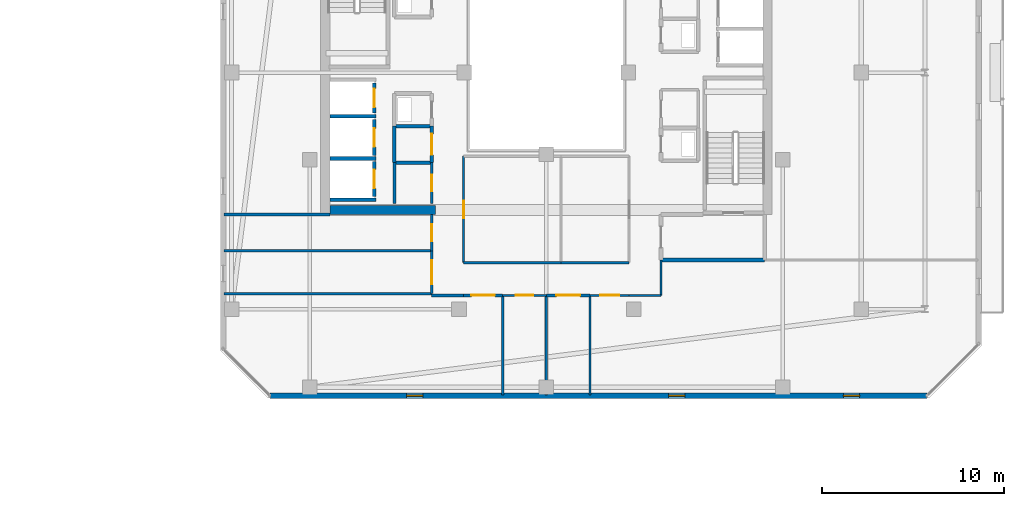
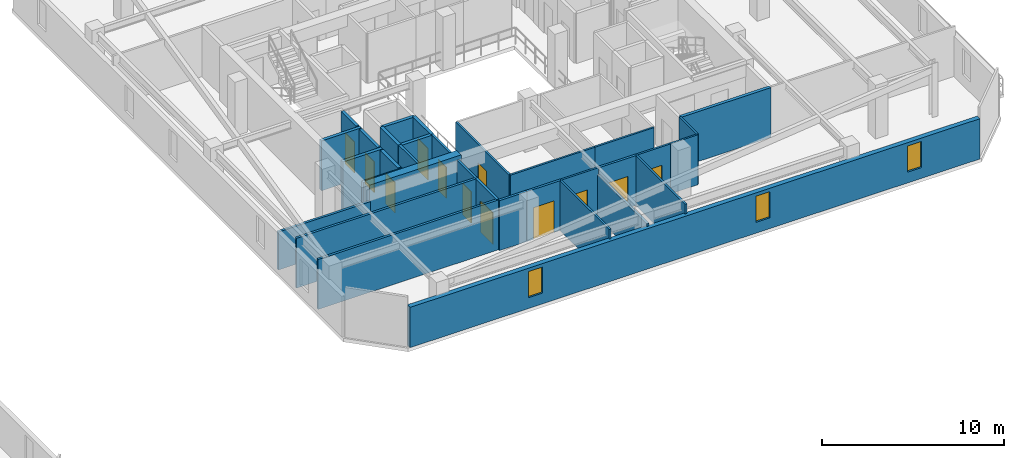
# One storey, part 25 of 35: 33 walls, 12 doors, 3 windows, 15 openings.
"""IFC4 building model written with IfcOpenShell, lengths in metres."""

from ifc_helpers import new_model, si_unit, direction, frame, frame_2d, origin, place, context, subcontext, project, spatial, rectangle, extrude, material, layer, layer_set, type_object, element, fill, save


model = new_model("IFC4")

# Units and contexts
model_context = context("Model", 3, precision=1e-05, world=origin(), true_north=direction((0.0, 1.0)))
body_context = subcontext(model_context, "Body", "Model", "MODEL_VIEW")
ifc_project = project(units=[si_unit("LENGTHUNIT", "METRE"), si_unit("AREAUNIT", "SQUARE_METRE"), si_unit("VOLUMEUNIT", "CUBIC_METRE"), si_unit("PLANEANGLEUNIT", "RADIAN"), si_unit("MASSUNIT", "GRAM", prefix="KILO")], contexts=[model_context])

# Site, building, storey
site_placement = place(None, origin())
site = spatial("IfcSite", under=ifc_project, at=site_placement, CompositionType="ELEMENT")
building_placement = place(site_placement, origin())
building = spatial("IfcBuilding", under=site, at=building_placement, Name="Thornwick Lancets Civic Towers", CompositionType="ELEMENT")
storey_placement = place(building_placement, frame((0.0, 0.0, 272.699951171875)))
storey = spatial("IfcBuildingStorey", under=building, at=storey_placement, Name="L73", CompositionType="ELEMENT", Elevation=272.699951171875)

# Wall, opening, door
ifc_material_1 = material(Name="Concrete blockwork C40/50", Category="masonry")
ifc_layer_1 = layer(ifc_material_1, 0.199951171875, Name="Concrete blockwork C40/50")
ifc_layer_set_1 = layer_set([ifc_layer_1], Name="Concrete blockwork C40/50")
wall_type_1 = type_object("IfcWallType", Name="WALL_COMP_200", PredefinedType="STANDARD", material=ifc_layer_set_1)
wall_1_placement = place(storey_placement, frame((79.050048828125, 24.780029296875, 0.0), z_axis=(0.0, 0.0, 1.0), x_axis=(0.0, 1.0, 0.0)))
wall_1 = element("IfcWall", 1, at=wall_1_placement, inside=storey, type_object=wall_type_1, Name="L73 Hoistway Front Wall FL-B2", PredefinedType="STANDARD", context=body_context, shape_type="SweptSolid", body=[
    extrude(rectangle(XDim=1.639892578125, YDim=0.199951171875, at=frame_2d((0.81982421875, 0.0))), origin(), (0.0, 0.0, 1.0), 3.340087890625),
])
opening_1_placement = place(wall_1_placement, frame((0.31005859375, 0.0, 0.0)))
opening_1 = element("IfcOpeningElement", 2, at=opening_1_placement, cuts=wall_1, Name="Opening LD-FL-B2", PredefinedType="OPENING", context=body_context, shape_type="SweptSolid", body=[
    extrude(rectangle(XDim=1.02001953125, YDim=2.06005859375, at=frame_2d((0.510009765625, 1.030029296875))), frame((0.0, 0.10986328125, 0.0), z_axis=(0.0, -1.0, 0.0), x_axis=(1.0, 0.0, 0.0)), (0.0, 0.0, 1.0), 0.219970703125),
])
ifc_material_2 = material(Name="Brushed bronze stainless steel", Category="steel")
door_type_1 = type_object("IfcDoorType", Name="DOOR_LIFT_SLIDE", OperationType="SLIDING_TO_LEFT", PredefinedType="DOOR", material=ifc_material_2)
door_1_placement = place(opening_1_placement, origin())
door_1 = element("IfcDoor", 3, at=door_1_placement, inside=storey, type_object=door_type_1, Name="L73 Sliding Lift Landing Door LD-FL-B2", OperationType="SLIDING_TO_LEFT", OverallHeight=2.06005859375, OverallWidth=1.02001953125, PredefinedType="DOOR", context=body_context, shape_type="SweptSolid", body=[
    extrude(rectangle(XDim=1.02001953125, YDim=2.06005859375, at=frame_2d((0.510009765625, 1.030029296875))), frame((0.0, 0.02490234375, 0.0), z_axis=(0.0, -1.0, 0.0), x_axis=(1.0, 0.0, 0.0)), (0.0, 0.0, 1.0), 0.050048828125),
])
fill(opening_1, door_1)

wall_2_placement = place(storey_placement, frame((79.050048828125, 22.429931640625, 0.0), z_axis=(0.0, 0.0, 1.0), x_axis=(0.0, 1.0, 0.0)))
wall_2 = element("IfcWall", 4, at=wall_2_placement, inside=storey, type_object=wall_type_1, Name="L73 Hoistway Front Wall PL-BH2", PredefinedType="STANDARD", context=body_context, shape_type="SweptSolid", body=[
    extrude(rectangle(XDim=1.989990234375, YDim=0.199951171875, at=frame_2d((0.9951171875, 0.0))), origin(), (0.0, 0.0, 1.0), 3.340087890625),
])
opening_2_placement = place(wall_2_placement, frame((0.485107421875, 0.0, 0.0)))
opening_2 = element("IfcOpeningElement", 5, at=opening_2_placement, cuts=wall_2, Name="Opening LD-PL-BH2", PredefinedType="OPENING", context=body_context, shape_type="SweptSolid", body=[
    extrude(rectangle(XDim=1.02001953125, YDim=2.06005859375, at=frame_2d((0.510009765625, 1.030029296875))), frame((0.0, 0.10986328125, 0.0), z_axis=(0.0, -1.0, 0.0), x_axis=(1.0, 0.0, 0.0)), (0.0, 0.0, 1.0), 0.219970703125),
])
door_2_placement = place(opening_2_placement, origin())
door_2 = element("IfcDoor", 6, at=door_2_placement, inside=storey, type_object=door_type_1, Name="L73 Sliding Lift Landing Door LD-PL-BH2", OperationType="SLIDING_TO_LEFT", OverallHeight=2.06005859375, OverallWidth=1.02001953125, PredefinedType="DOOR", context=body_context, shape_type="SweptSolid", body=[
    extrude(rectangle(XDim=1.02001953125, YDim=2.06005859375, at=frame_2d((0.510009765625, 1.030029296875))), frame((0.0, 0.02490234375, 0.0), z_axis=(0.0, -1.0, 0.0), x_axis=(1.0, 0.0, 0.0)), (0.0, 0.0, 1.0), 0.050048828125),
])
fill(opening_2, door_2)

wall_3_placement = place(storey_placement, frame((79.050048828125, 20.179931640625, 0.0), z_axis=(0.0, 0.0, 1.0), x_axis=(0.0, 1.0, 0.0)))
wall_3 = element("IfcWall", 7, at=wall_3_placement, inside=storey, type_object=wall_type_1, Name="L73 Hoistway Front Wall PL-BH3", PredefinedType="STANDARD", context=body_context, shape_type="SweptSolid", body=[
    extrude(rectangle(XDim=1.940185546875, YDim=0.199951171875, at=frame_2d((0.97021484375, 0.0))), origin(), (0.0, 0.0, 1.0), 3.340087890625),
])
opening_3_placement = place(wall_3_placement, frame((0.4599609375, 0.0, 0.0)))
opening_3 = element("IfcOpeningElement", 8, at=opening_3_placement, cuts=wall_3, Name="Opening LD-PL-BH3", PredefinedType="OPENING", context=body_context, shape_type="SweptSolid", body=[
    extrude(rectangle(XDim=1.02001953125, YDim=2.06005859375, at=frame_2d((0.510009765625, 1.030029296875))), frame((0.0, 0.10986328125, 0.0), z_axis=(0.0, -1.0, 0.0), x_axis=(1.0, 0.0, 0.0)), (0.0, 0.0, 1.0), 0.219970703125),
])
door_3_placement = place(opening_3_placement, origin())
door_3 = element("IfcDoor", 9, at=door_3_placement, inside=storey, type_object=door_type_1, Name="L73 Sliding Lift Landing Door LD-PL-BH3", OperationType="SLIDING_TO_LEFT", OverallHeight=2.06005859375, OverallWidth=1.02001953125, PredefinedType="DOOR", context=body_context, shape_type="SweptSolid", body=[
    extrude(rectangle(XDim=1.02001953125, YDim=2.06005859375, at=frame_2d((0.510009765625, 1.030029296875))), frame((0.0, 0.02490234375, 0.0), z_axis=(0.0, -1.0, 0.0), x_axis=(1.0, 0.0, 0.0)), (0.0, 0.0, 1.0), 0.050048828125),
])
fill(opening_3, door_3)

# Walls
for number, where, z_axis, x_axis, name in (
    (10, (76.612060546875, 24.60009765625, 0.0), (0.0, 0.0, 1.0), (1.0, 0.0, 0.0), "L73 Hoistway Shaft Wall FL-B2 S"),
    (11, (76.612060546875, 22.27490234375, 0.0), (0.0, 0.0, 1.0), (1.0, 0.0, 0.0), "L73 Hoistway Shaft Wall PL-BH2 S"),
    (12, (76.612060546875, 20.0, 0.0), (0.0, 0.0, 1.0), (1.0, 0.0, 0.0), "L73 Hoistway Shaft Wall PL-BH3 S"),
):
    element("IfcWall", number, at=place(storey_placement, frame(where, z_axis=z_axis, x_axis=x_axis)), inside=storey, type_object=wall_type_1, Name=name, PredefinedType="STANDARD", context=body_context, shape_type="SweptSolid", body=[
        extrude(rectangle(XDim=2.535888671875, YDim=0.199951171875, at=frame_2d((1.26806640625, 0.0))), origin(), (0.0, 0.0, 1.0), 3.340087890625),
    ])
wall_4_placement = place(storey_placement, frame((94.800048828125, 16.699951171875, 0.0), z_axis=(0.0, 0.0, 1.0), x_axis=(1.0, 0.0, 0.0)))
element("IfcWall", 13, at=wall_4_placement, inside=storey, type_object=wall_type_1, Name="L73 Partition L73-B-FFLOB1 E1", PredefinedType="STANDARD", context=body_context, shape_type="SweptSolid", body=[
    extrude(rectangle(XDim=5.699951171875, YDim=0.199951171875, at=frame_2d((2.85009765625, 0.0))), origin(), (0.0, 0.0, 1.0), 3.340087890625),
])
wall_5_placement = place(storey_placement, frame((80.14990234375, 24.050048828125, 0.0), z_axis=(0.0, 0.0, 1.0), x_axis=(1.0, 0.0, 0.0)))
element("IfcWall", 14, at=wall_5_placement, inside=storey, type_object=wall_type_1, Name="L73 Partition L73-B-DUCT2 E1", PredefinedType="STANDARD", context=body_context, shape_type="SweptSolid", body=[
    extrude(rectangle(XDim=2.050048828125, YDim=0.199951171875, at=frame_2d((1.02490234375, 0.0))), origin(), (0.0, 0.0, 1.0), 3.340087890625),
])
wall_6_placement = place(storey_placement, frame((80.14990234375, 22.050048828125, 0.0), z_axis=(0.0, 0.0, 1.0), x_axis=(0.0, 1.0, 0.0)))
element("IfcWall", 15, at=wall_6_placement, inside=storey, type_object=wall_type_1, Name="L73 Partition L73-B-STR E1", PredefinedType="STANDARD", context=body_context, shape_type="SweptSolid", body=[
    extrude(rectangle(XDim=2.0, YDim=0.199951171875, at=frame_2d((1.0, 0.0))), origin(), (0.0, 0.0, 1.0), 3.340087890625),
])

# Wall, opening, door
wall_7_placement = place(storey_placement, frame((82.199951171875, 24.050048828125, 0.0), z_axis=(0.0, 0.0, 1.0), x_axis=(0.0, -1.0, 0.0)))
wall_7 = element("IfcWall", 16, at=wall_7_placement, inside=storey, type_object=wall_type_1, Name="L73 Partition L73-B-STR E3", PredefinedType="STANDARD", context=body_context, shape_type="SweptSolid", body=[
    extrude(rectangle(XDim=2.0, YDim=0.199951171875, at=frame_2d((1.0, 0.0))), origin(), (0.0, 0.0, 1.0), 3.340087890625),
])
opening_4_placement = place(wall_7_placement, frame((0.425048828125, 0.0, 0.0)))
opening_4 = element("IfcOpeningElement", 17, at=opening_4_placement, cuts=wall_7, Name="Opening D-L73-3348", PredefinedType="OPENING", context=body_context, shape_type="SweptSolid", body=[
    extrude(rectangle(XDim=1.14990234375, YDim=2.10009765625, at=frame_2d((0.574951171875, 1.050048828125))), frame((0.0, 0.10986328125, 0.0), z_axis=(0.0, -1.0, 0.0), x_axis=(1.0, 0.0, 0.0)), (0.0, 0.0, 1.0), 0.219970703125),
])
ifc_material_3 = material(Name="Glazed fire-resisting steel", Category="steel")
door_type_2 = type_object("IfcDoorType", Name="DOOR_LOBBY_FD60", OperationType="NOTDEFINED", PredefinedType="DOOR", material=ifc_material_3)
door_4_placement = place(opening_4_placement, origin())
door_4 = element("IfcDoor", 18, at=door_4_placement, inside=storey, type_object=door_type_2, Name="L73 Tower B Core Records Store Door", OperationType="SINGLE_SWING_LEFT", OverallHeight=2.10009765625, OverallWidth=1.14990234375, PredefinedType="DOOR", context=body_context, shape_type="SweptSolid", body=[
    extrude(rectangle(XDim=1.14990234375, YDim=2.10009765625, at=frame_2d((0.574951171875, 1.050048828125))), frame((0.0, 0.02490234375, 0.0), z_axis=(0.0, -1.0, 0.0), x_axis=(1.0, 0.0, 0.0)), (0.0, 0.0, 1.0), 0.050048828125),
])
fill(opening_4, door_4)

# Walls
wall_8_placement = place(storey_placement, frame((82.199951171875, 22.050048828125, 0.0), z_axis=(0.0, 0.0, 1.0), x_axis=(-1.0, 0.0, 0.0)))
element("IfcWall", 19, at=wall_8_placement, inside=storey, type_object=wall_type_1, Name="L73 Partition L73-B-STR E4", PredefinedType="STANDARD", context=body_context, shape_type="SweptSolid", body=[
    extrude(rectangle(XDim=2.050048828125, YDim=0.199951171875, at=frame_2d((1.02490234375, 0.0))), origin(), (0.0, 0.0, 1.0), 3.340087890625),
])
ifc_material_4 = material(Name="Concrete C50/60", Category="concrete")
ifc_layer_2 = layer(ifc_material_4, 0.5, Name="Concrete C50/60")
ifc_layer_set_2 = layer_set([ifc_layer_2], Name="Concrete C50/60")
wall_type_2 = type_object("IfcWallType", Name="WALL_CORE_500", PredefinedType="SHEAR", material=ifc_layer_set_2)
wall_9_placement = place(storey_placement, frame((76.60009765625, 19.449951171875, 0.0), z_axis=(0.0, 0.0, 1.0), x_axis=(1.0, 0.0, 0.0)))
element("IfcWall", 20, at=wall_9_placement, inside=storey, type_object=wall_type_2, Name="L73 Split Core B2 Shear Wall S", PredefinedType="SHEAR", context=body_context, shape_type="SweptSolid", body=[
    extrude(rectangle(XDim=5.7998046875, YDim=0.5, at=frame_2d((2.89990234375, 0.0))), origin(), (0.0, 0.0, 1.0), 3.60009765625),
])

# Wall, openings, windows
ifc_material_5 = material(Name="Insulated russet terracotta rainscreen on concrete C40/50", Category="masonry")
ifc_layer_3 = layer(ifc_material_5, 0.300048828125, Name="Insulated russet terracotta rainscreen on concrete C40/50")
ifc_layer_set_3 = layer_set([ifc_layer_3], Name="Insulated russet terracotta rainscreen on concrete C40/50")
wall_type_3 = type_object("IfcWallType", Name="WALL_EXT_RUSSET_300", PredefinedType="STANDARD", material=ifc_layer_set_3)
wall_10_placement = place(storey_placement, frame((73.318603515625, 9.2353515625, 0.0), z_axis=(0.0, 0.0, 1.0), x_axis=(0.999999999634, 2.7061402e-05, 0.0)))
wall_10 = element("IfcWall", 21, at=wall_10_placement, inside=storey, type_object=wall_type_3, Name="L73 Tower B Terracotta Facade Wall E0", PredefinedType="STANDARD", context=body_context, shape_type="SweptSolid", body=[
    extrude(rectangle(XDim=36.0869140625, YDim=0.300048828125, at=frame_2d((18.04345703125, 0.0))), origin(), (0.0, 0.0, 1.0), 2.699951171875),
])
opening_5_placement = place(wall_10_placement, frame((7.5, 0.0, 0.719970703125)))
opening_5 = element("IfcOpeningElement", 22, at=opening_5_placement, cuts=wall_10, Name="Opening WL-01", PredefinedType="OPENING", context=body_context, shape_type="SweptSolid", body=[
    extrude(rectangle(XDim=0.89990234375, YDim=1.75, at=frame_2d((0.449951171875, 0.875))), frame((0.0, 0.16015625, 0.0), z_axis=(0.0, -1.0, 0.0), x_axis=(1.0, 0.0, 0.0)), (0.0, 0.0, 1.0), 0.320068359375),
])
opening_6_placement = place(wall_10_placement, frame((21.89990234375, 0.0, 0.719970703125)))
opening_6 = element("IfcOpeningElement", 23, at=opening_6_placement, cuts=wall_10, Name="Opening WL-01", PredefinedType="OPENING", context=body_context, shape_type="SweptSolid", body=[
    extrude(rectangle(XDim=0.89990234375, YDim=1.75, at=frame_2d((0.449951171875, 0.875))), frame((0.0, 0.16015625, 0.0), z_axis=(0.0, -1.0, 0.0), x_axis=(1.0, 0.0, 0.0)), (0.0, 0.0, 1.0), 0.320068359375),
])
opening_7_placement = place(wall_10_placement, frame((31.5, 0.0, 0.719970703125)))
opening_7 = element("IfcOpeningElement", 24, at=opening_7_placement, cuts=wall_10, Name="Opening WL-01", PredefinedType="OPENING", context=body_context, shape_type="SweptSolid", body=[
    extrude(rectangle(XDim=0.89990234375, YDim=1.75, at=frame_2d((0.449951171875, 0.875))), frame((0.0, 0.16015625, 0.0), z_axis=(0.0, -1.0, 0.0), x_axis=(1.0, 0.0, 0.0)), (0.0, 0.0, 1.0), 0.320068359375),
])
ifc_material_6 = material(Name="Clear low-e double glazing in bronze frame", Category="glass")
window_type = type_object("IfcWindowType", Name="WIN_LANCET_900", PartitioningType="SINGLE_PANEL", PredefinedType="WINDOW", material=ifc_material_6)
window_1_placement = place(opening_5_placement, origin())
window_1 = element("IfcWindow", 25, at=window_1_placement, inside=storey, type_object=window_type, Name="L73 Tower B Staggered Lancet Window E0-1", OverallHeight=1.75, OverallWidth=0.89990234375, PartitioningType="SINGLE_PANEL", PredefinedType="WINDOW", context=body_context, shape_type="SweptSolid", body=[
    extrude(rectangle(XDim=0.89990234375, YDim=1.75, at=frame_2d((0.449951171875, 0.875))), frame((0.0, 0.030029296875, 0.0), z_axis=(0.0, -1.0, 0.0), x_axis=(1.0, 0.0, 0.0)), (0.0, 0.0, 1.0), 0.06005859375),
])
fill(opening_5, window_1)
window_2_placement = place(opening_6_placement, origin())
window_2 = element("IfcWindow", 26, at=window_2_placement, inside=storey, type_object=window_type, Name="L73 Tower B Staggered Lancet Window E0-2", OverallHeight=1.75, OverallWidth=0.89990234375, PartitioningType="SINGLE_PANEL", PredefinedType="WINDOW", context=body_context, shape_type="SweptSolid", body=[
    extrude(rectangle(XDim=0.89990234375, YDim=1.75, at=frame_2d((0.449951171875, 0.875))), frame((0.0, 0.030029296875, 0.0), z_axis=(0.0, -1.0, 0.0), x_axis=(1.0, 0.0, 0.0)), (0.0, 0.0, 1.0), 0.06005859375),
])
fill(opening_6, window_2)
window_3_placement = place(opening_7_placement, origin())
window_3 = element("IfcWindow", 27, at=window_3_placement, inside=storey, type_object=window_type, Name="L73 Tower B Staggered Lancet Window E0-3", OverallHeight=1.75, OverallWidth=0.89990234375, PartitioningType="SINGLE_PANEL", PredefinedType="WINDOW", context=body_context, shape_type="SweptSolid", body=[
    extrude(rectangle(XDim=0.89990234375, YDim=1.75, at=frame_2d((0.449951171875, 0.875))), frame((0.0, 0.030029296875, 0.0), z_axis=(0.0, -1.0, 0.0), x_axis=(1.0, 0.0, 0.0)), (0.0, 0.0, 1.0), 0.06005859375),
])
fill(opening_7, window_3)

# Wall
ifc_material_7 = material(Name="Acoustic gypsum board partition")
ifc_layer_4 = layer(ifc_material_7, 0.1201171875, Name="Acoustic gypsum board partition")
ifc_layer_set_4 = layer_set([ifc_layer_4], Name="Acoustic gypsum board partition")
wall_type_4 = type_object("IfcWallType", Name="WALL_PART_120", PredefinedType="PARTITIONING", material=ifc_layer_set_4)
wall_11_placement = place(storey_placement, frame((90.89990234375, 9.280029296875, 0.0), z_axis=(0.0, 0.0, 1.0), x_axis=(0.0, 1.0, 0.0)))
element("IfcWall", 28, at=wall_11_placement, inside=storey, type_object=wall_type_4, Name="L73 Partition L73-B-W1 E2", PredefinedType="PARTITIONING", context=body_context, shape_type="SweptSolid", body=[
    extrude(rectangle(XDim=5.469970703125, YDim=0.1201171875, at=frame_2d((2.73486328125, 0.0))), origin(), (0.0, 0.0, 1.0), 3.340087890625),
])

# Wall, opening, door
wall_12_placement = place(storey_placement, frame((90.89990234375, 14.75, 0.0), z_axis=(0.0, 0.0, 1.0), x_axis=(1.0, 0.0, 0.0)))
wall_12 = element("IfcWall", 29, at=wall_12_placement, inside=storey, type_object=wall_type_4, Name="L73 Partition L73-B-W1 E3", PredefinedType="PARTITIONING", context=body_context, shape_type="SweptSolid", body=[
    extrude(rectangle(XDim=2.150146484375, YDim=0.1201171875, at=frame_2d((1.0751953125, 0.0))), origin(), (0.0, 0.0, 1.0), 3.340087890625),
])
opening_8_placement = place(wall_12_placement, frame((0.550048828125, 0.0, 0.0)))
opening_8 = element("IfcOpeningElement", 30, at=opening_8_placement, cuts=wall_12, Name="Opening D-L73-3368", PredefinedType="OPENING", context=body_context, shape_type="SweptSolid", body=[
    extrude(rectangle(XDim=1.050048828125, YDim=2.10009765625, at=frame_2d((0.52490234375, 1.050048828125))), frame((0.0, 0.070068359375, 0.0), z_axis=(0.0, -1.0, 0.0), x_axis=(1.0, 0.0, 0.0)), (0.0, 0.0, 1.0), 0.14013671875),
])
ifc_material_8 = material(Name="Glazed European oak executive doorset")
door_type_3 = type_object("IfcDoorType", Name="DOOR_OFFICE_1050", OperationType="NOTDEFINED", PredefinedType="DOOR", material=ifc_material_8)
door_5_placement = place(opening_8_placement, origin())
door_5 = element("IfcDoor", 31, at=door_5_placement, inside=storey, type_object=door_type_3, Name="L73 Tower B Ministry Directorate Office W1 Door", OperationType="SINGLE_SWING_LEFT", OverallHeight=2.10009765625, OverallWidth=1.050048828125, PredefinedType="DOOR", context=body_context, shape_type="SweptSolid", body=[
    extrude(rectangle(XDim=1.050048828125, YDim=2.10009765625, at=frame_2d((0.52490234375, 1.050048828125))), frame((0.0, 0.02490234375, 0.0), z_axis=(0.0, -1.0, 0.0), x_axis=(1.0, 0.0, 0.0)), (0.0, 0.0, 1.0), 0.050048828125),
])
fill(opening_8, door_5)

# Walls
wall_13_placement = place(storey_placement, frame((93.050048828125, 14.75, 0.0), z_axis=(0.0, 0.0, 1.0), x_axis=(1.0, 0.0, 0.0)))
element("IfcWall", 32, at=wall_13_placement, inside=storey, type_object=wall_type_4, Name="L73 Partition L73-B-W1 E4", PredefinedType="PARTITIONING", context=body_context, shape_type="SweptSolid", body=[
    extrude(rectangle(XDim=1.75, YDim=0.1201171875, at=frame_2d((0.875, 0.0))), origin(), (0.0, 0.0, 1.0), 3.340087890625),
])
wall_14_placement = place(storey_placement, frame((94.800048828125, 14.75, 0.0), z_axis=(0.0, 0.0, 1.0), x_axis=(0.0, 1.0, 0.0)))
element("IfcWall", 33, at=wall_14_placement, inside=storey, type_object=wall_type_4, Name="L73 Partition L73-B-W1 E5", PredefinedType="PARTITIONING", context=body_context, shape_type="SweptSolid", body=[
    extrude(rectangle(XDim=1.949951171875, YDim=0.1201171875, at=frame_2d((0.97509765625, 0.0))), origin(), (0.0, 0.0, 1.0), 3.340087890625),
])
wall_15_placement = place(storey_placement, frame((86.10009765625, 9.280029296875, 0.0), z_axis=(0.0, 0.0, 1.0), x_axis=(0.0, 1.0, 0.0)))
element("IfcWall", 34, at=wall_15_placement, inside=storey, type_object=wall_type_4, Name="L73 Partition L73-B-W2B E3", PredefinedType="PARTITIONING", context=body_context, shape_type="SweptSolid", body=[
    extrude(rectangle(XDim=5.469970703125, YDim=0.1201171875, at=frame_2d((2.73486328125, 0.0))), origin(), (0.0, 0.0, 1.0), 3.340087890625),
])

# Wall, opening, door
wall_16_placement = place(storey_placement, frame((86.10009765625, 14.75, 0.0), z_axis=(0.0, 0.0, 1.0), x_axis=(1.0, 0.0, 0.0)))
wall_16 = element("IfcWall", 35, at=wall_16_placement, inside=storey, type_object=wall_type_4, Name="L73 Partition L73-B-W2B E4", PredefinedType="PARTITIONING", context=body_context, shape_type="SweptSolid", body=[
    extrude(rectangle(XDim=2.39990234375, YDim=0.1201171875, at=frame_2d((1.199951171875, 0.0))), origin(), (0.0, 0.0, 1.0), 3.340087890625),
])
opening_9_placement = place(wall_16_placement, frame((0.72509765625, 0.0, 0.0)))
opening_9 = element("IfcOpeningElement", 36, at=opening_9_placement, cuts=wall_16, Name="Opening D-L73-3370", PredefinedType="OPENING", context=body_context, shape_type="SweptSolid", body=[
    extrude(rectangle(XDim=0.949951171875, YDim=2.10009765625, at=frame_2d((0.47509765625, 1.050048828125))), frame((0.0, 0.070068359375, 0.0), z_axis=(0.0, -1.0, 0.0), x_axis=(1.0, 0.0, 0.0)), (0.0, 0.0, 1.0), 0.14013671875),
])
ifc_material_9 = material(Name="European oak acoustic doorset")
door_type_4 = type_object("IfcDoorType", Name="DOOR_OFFICE_950", OperationType="NOTDEFINED", PredefinedType="DOOR", material=ifc_material_9)
door_6_placement = place(opening_9_placement, origin())
door_6 = element("IfcDoor", 37, at=door_6_placement, inside=storey, type_object=door_type_4, Name="L73 Tower B Senior Counsel Office W2B Door", OperationType="SINGLE_SWING_LEFT", OverallHeight=2.10009765625, OverallWidth=0.949951171875, PredefinedType="DOOR", context=body_context, shape_type="SweptSolid", body=[
    extrude(rectangle(XDim=0.949951171875, YDim=2.10009765625, at=frame_2d((0.47509765625, 1.050048828125))), frame((0.0, 0.02490234375, 0.0), z_axis=(0.0, -1.0, 0.0), x_axis=(1.0, 0.0, 0.0)), (0.0, 0.0, 1.0), 0.050048828125),
])
fill(opening_9, door_6)

# Wall
wall_17_placement = place(storey_placement, frame((93.050048828125, 16.550048828125, 0.0), z_axis=(0.0, 0.0, 1.0), x_axis=(-1.0, 0.0, 0.0)))
element("IfcWall", 38, at=wall_17_placement, inside=storey, type_object=wall_type_4, Name="L73 Partition L73-B-W3 E4", PredefinedType="PARTITIONING", context=body_context, shape_type="SweptSolid", body=[
    extrude(rectangle(XDim=3.75, YDim=0.1201171875, at=frame_2d((1.875, 0.0))), origin(), (0.0, 0.0, 1.0), 3.340087890625),
])

# Wall, opening, door
wall_18_placement = place(storey_placement, frame((83.949951171875, 16.550048828125, 0.0), z_axis=(0.0, 0.0, 1.0), x_axis=(0.0, 1.0, 0.0)))
wall_18 = element("IfcWall", 39, at=wall_18_placement, inside=storey, type_object=wall_type_4, Name="L73 Partition L73-B-W4 E1", PredefinedType="PARTITIONING", context=body_context, shape_type="SweptSolid", body=[
    extrude(rectangle(XDim=5.849853515625, YDim=0.1201171875, at=frame_2d((2.9248046875, 0.0))), origin(), (0.0, 0.0, 1.0), 3.340087890625),
])
opening_10_placement = place(wall_18_placement, frame((2.449951171875, 0.0, 0.0)))
opening_10 = element("IfcOpeningElement", 40, at=opening_10_placement, cuts=wall_18, Name="Opening D-L73-3373", PredefinedType="OPENING", context=body_context, shape_type="SweptSolid", body=[
    extrude(rectangle(XDim=0.949951171875, YDim=2.10009765625, at=frame_2d((0.47509765625, 1.050048828125))), frame((0.0, 0.070068359375, 0.0), z_axis=(0.0, -1.0, 0.0), x_axis=(1.0, 0.0, 0.0)), (0.0, 0.0, 1.0), 0.14013671875),
])
door_7_placement = place(opening_10_placement, origin())
door_7 = element("IfcDoor", 41, at=door_7_placement, inside=storey, type_object=door_type_4, Name="L73 Tower B Statutory Research Library W4 Door", OperationType="SINGLE_SWING_RIGHT", OverallHeight=2.10009765625, OverallWidth=0.949951171875, PredefinedType="DOOR", context=body_context, shape_type="SweptSolid", body=[
    extrude(rectangle(XDim=0.949951171875, YDim=2.10009765625, at=frame_2d((0.47509765625, 1.050048828125))), frame((0.0, 0.02490234375, 0.0), z_axis=(0.0, -1.0, 0.0), x_axis=(1.0, 0.0, 0.0)), (0.0, 0.0, 1.0), 0.050048828125),
])
fill(opening_10, door_7)

# Wall
wall_19_placement = place(storey_placement, frame((89.300048828125, 16.550048828125, 0.0), z_axis=(0.0, 0.0, 1.0), x_axis=(-1.0, 0.0, 0.0)))
element("IfcWall", 42, at=wall_19_placement, inside=storey, type_object=wall_type_4, Name="L73 Partition L73-B-W4 E4", PredefinedType="PARTITIONING", context=body_context, shape_type="SweptSolid", body=[
    extrude(rectangle(XDim=5.35009765625, YDim=0.1201171875, at=frame_2d((2.675048828125, 0.0))), origin(), (0.0, 0.0, 1.0), 3.340087890625),
])

# Wall, opening, door
ifc_material_10 = material(Name="Twin-stud acoustic gypsum board")
ifc_layer_5 = layer(ifc_material_10, 0.14990234375, Name="Twin-stud acoustic gypsum board")
ifc_layer_set_5 = layer_set([ifc_layer_5], Name="Twin-stud acoustic gypsum board")
wall_type_5 = type_object("IfcWallType", Name="WALL_PART_150", PredefinedType="PARTITIONING", material=ifc_layer_set_5)
wall_20_placement = place(storey_placement, frame((82.199951171875, 19.800048828125, 0.0), z_axis=(0.0, 0.0, 1.0), x_axis=(0.0, 1.0, 0.0)))
wall_20 = element("IfcWall", 43, at=wall_20_placement, inside=storey, type_object=wall_type_5, Name="L73 Partition L73-B-AWC E2", PredefinedType="PARTITIONING", context=body_context, shape_type="SweptSolid", body=[
    extrude(rectangle(XDim=2.25, YDim=0.14990234375, at=frame_2d((1.125, 0.0))), origin(), (0.0, 0.0, 1.0), 3.340087890625),
])
opening_11_placement = place(wall_20_placement, frame((0.6650390625, 0.0, 0.0)))
opening_11 = element("IfcOpeningElement", 44, at=opening_11_placement, cuts=wall_20, Name="Opening D-L73-3347", PredefinedType="OPENING", context=body_context, shape_type="SweptSolid", body=[
    extrude(rectangle(XDim=0.919921875, YDim=2.080078125, at=frame_2d((0.4599609375, 1.0400390625))), frame((0.0, 0.0849609375, 0.0), z_axis=(0.0, -1.0, 0.0), x_axis=(1.0, 0.0, 0.0)), (0.0, 0.0, 1.0), 0.169921875),
])
ifc_material_11 = material(Name="Moisture-resistant oak doorset")
door_type_5 = type_object("IfcDoorType", Name="DOOR_WC_900", OperationType="NOTDEFINED", PredefinedType="DOOR", material=ifc_material_11)
door_8_placement = place(opening_11_placement, origin())
door_8 = element("IfcDoor", 45, at=door_8_placement, inside=storey, type_object=door_type_5, Name="L73 Tower B Accessible WC Door", OperationType="SINGLE_SWING_RIGHT", OverallHeight=2.080078125, OverallWidth=0.919921875, PredefinedType="DOOR", context=body_context, shape_type="SweptSolid", body=[
    extrude(rectangle(XDim=0.919921875, YDim=2.080078125, at=frame_2d((0.4599609375, 1.0400390625))), frame((0.0, 0.02490234375, 0.0), z_axis=(0.0, -1.0, 0.0), x_axis=(1.0, 0.0, 0.0)), (0.0, 0.0, 1.0), 0.050048828125),
])
fill(opening_11, door_8)

# Walls
wall_21_placement = place(storey_placement, frame((80.14990234375, 22.050048828125, 0.0), z_axis=(0.0, 0.0, 1.0), x_axis=(0.0, -1.0, 0.0)))
element("IfcWall", 46, at=wall_21_placement, inside=storey, type_object=wall_type_5, Name="L73 Partition L73-B-AWC E4", PredefinedType="PARTITIONING", context=body_context, shape_type="SweptSolid", body=[
    extrude(rectangle(XDim=2.25, YDim=0.14990234375, at=frame_2d((1.125, 0.0))), origin(), (0.0, 0.0, 1.0), 3.340087890625),
])
for number, where, z_axis, x_axis, name in (
    (47, (82.199951171875, 14.85009765625, 0.0), (0.0, 0.0, 1.0), (-1.0, 0.0, 0.0), "L73 Partition L73-B-RECLAIM-M1 E1"),
    (48, (70.780029296875, 17.199951171875, 0.0), (0.0, 0.0, 1.0), (1.0, 0.0, 0.0), "L73 Partition L73-B-RECLAIM-M1 E3"),
):
    element("IfcWall", number, at=place(storey_placement, frame(where, z_axis=z_axis, x_axis=x_axis)), inside=storey, type_object=wall_type_5, Name=name, PredefinedType="PARTITIONING", context=body_context, shape_type="SweptSolid", body=[
        extrude(rectangle(XDim=11.419921875, YDim=0.14990234375, at=frame_2d((5.7099609375, 0.0))), origin(), (0.0, 0.0, 1.0), 3.340087890625),
    ])

# Wall, opening, door
wall_22_placement = place(storey_placement, frame((82.199951171875, 17.199951171875, 0.0), z_axis=(0.0, 0.0, 1.0), x_axis=(0.0, -1.0, 0.0)))
wall_22 = element("IfcWall", 49, at=wall_22_placement, inside=storey, type_object=wall_type_5, Name="L73 Partition L73-B-RECLAIM-M1 E4", PredefinedType="PARTITIONING", context=body_context, shape_type="SweptSolid", body=[
    extrude(rectangle(XDim=2.349853515625, YDim=0.14990234375, at=frame_2d((1.1748046875, 0.0))), origin(), (0.0, 0.0, 1.0), 3.340087890625),
])
opening_12_placement = place(wall_22_placement, frame((0.52490234375, 0.0, 0.0)))
opening_12 = element("IfcOpeningElement", 50, at=opening_12_placement, cuts=wall_22, Name="Opening D-L73-3366", PredefinedType="OPENING", context=body_context, shape_type="SweptSolid", body=[
    extrude(rectangle(XDim=1.300048828125, YDim=2.1201171875, at=frame_2d((0.64990234375, 1.06005859375))), frame((0.0, 0.0849609375, 0.0), z_axis=(0.0, -1.0, 0.0), x_axis=(1.0, 0.0, 0.0)), (0.0, 0.0, 1.0), 0.169921875),
])
ifc_material_12 = material(Name="Acoustic oak leaf-and-a-half doorset")
door_type_6 = type_object("IfcDoorType", Name="DOOR_MEET_1300", OperationType="DOUBLE_DOOR_SINGLE_SWING", PredefinedType="DOOR", material=ifc_material_12)
door_9_placement = place(opening_12_placement, origin())
door_9 = element("IfcDoor", 51, at=door_9_placement, inside=storey, type_object=door_type_6, Name="L73 Tower B Diplomatic Conference Room Door", OperationType="DOUBLE_DOOR_SINGLE_SWING", OverallHeight=2.1201171875, OverallWidth=1.300048828125, PredefinedType="DOOR", context=body_context, shape_type="SweptSolid", body=[
    extrude(rectangle(XDim=1.300048828125, YDim=2.1201171875, at=frame_2d((0.64990234375, 1.06005859375))), frame((0.0, 0.02490234375, 0.0), z_axis=(0.0, -1.0, 0.0), x_axis=(1.0, 0.0, 0.0)), (0.0, 0.0, 1.0), 0.050048828125),
])
fill(opening_12, door_9)

# Wall
wall_23_placement = place(storey_placement, frame((70.780029296875, 19.199951171875, 0.0), z_axis=(0.0, 0.0, 1.0), x_axis=(1.0, 0.0, 0.0)))
element("IfcWall", 52, at=wall_23_placement, inside=storey, type_object=wall_type_5, Name="L73 Partition L73-B-RECLAIM-M2 E3", PredefinedType="PARTITIONING", context=body_context, shape_type="SweptSolid", body=[
    extrude(rectangle(XDim=5.820068359375, YDim=0.14990234375, at=frame_2d((2.91015625, 0.0))), origin(), (0.0, 0.0, 1.0), 2.545166015625),
])

# Wall, opening, door
wall_24_placement = place(storey_placement, frame((82.199951171875, 19.199951171875, 0.0), z_axis=(0.0, 0.0, 1.0), x_axis=(0.0, -1.0, 0.0)))
wall_24 = element("IfcWall", 53, at=wall_24_placement, inside=storey, type_object=wall_type_5, Name="L73 Partition L73-B-RECLAIM-M2 E4", PredefinedType="PARTITIONING", context=body_context, shape_type="SweptSolid", body=[
    extrude(rectangle(XDim=2.0, YDim=0.14990234375, at=frame_2d((1.0, 0.0))), origin(), (0.0, 0.0, 1.0), 3.340087890625),
])
opening_13_placement = place(wall_24_placement, frame((0.52490234375, 0.0, 0.0)))
opening_13 = element("IfcOpeningElement", 54, at=opening_13_placement, cuts=wall_24, Name="Opening D-L73-3367", PredefinedType="OPENING", context=body_context, shape_type="SweptSolid", body=[
    extrude(rectangle(XDim=0.949951171875, YDim=2.10009765625, at=frame_2d((0.47509765625, 1.050048828125))), frame((0.0, 0.0849609375, 0.0), z_axis=(0.0, -1.0, 0.0), x_axis=(1.0, 0.0, 0.0)), (0.0, 0.0, 1.0), 0.169921875),
])
door_10_placement = place(opening_13_placement, origin())
door_10 = element("IfcDoor", 55, at=door_10_placement, inside=storey, type_object=door_type_4, Name="L73 Tower B Executive Records Archive Door", OperationType="SINGLE_SWING_RIGHT", OverallHeight=2.10009765625, OverallWidth=0.949951171875, PredefinedType="DOOR", context=body_context, shape_type="SweptSolid", body=[
    extrude(rectangle(XDim=0.949951171875, YDim=2.10009765625, at=frame_2d((0.47509765625, 1.050048828125))), frame((0.0, 0.02490234375, 0.0), z_axis=(0.0, -1.0, 0.0), x_axis=(1.0, 0.0, 0.0)), (0.0, 0.0, 1.0), 0.050048828125),
])
fill(opening_13, door_10)

# Wall
wall_25_placement = place(storey_placement, frame((88.5, 9.280029296875, 0.0), z_axis=(0.0, 0.0, 1.0), x_axis=(0.0, 1.0, 0.0)))
element("IfcWall", 56, at=wall_25_placement, inside=storey, type_object=wall_type_5, Name="L73 Partition L73-B-W2 E3", PredefinedType="PARTITIONING", context=body_context, shape_type="SweptSolid", body=[
    extrude(rectangle(XDim=5.469970703125, YDim=0.14990234375, at=frame_2d((2.73486328125, 0.0))), origin(), (0.0, 0.0, 1.0), 2.881591796875),
])

# Wall, opening, door
wall_26_placement = place(storey_placement, frame((88.5, 14.75, 0.0), z_axis=(0.0, 0.0, 1.0), x_axis=(1.0, 0.0, 0.0)))
wall_26 = element("IfcWall", 57, at=wall_26_placement, inside=storey, type_object=wall_type_5, Name="L73 Partition L73-B-W2 E4", PredefinedType="PARTITIONING", context=body_context, shape_type="SweptSolid", body=[
    extrude(rectangle(XDim=2.39990234375, YDim=0.14990234375, at=frame_2d((1.199951171875, 0.0))), origin(), (0.0, 0.0, 1.0), 3.340087890625),
])
opening_14_placement = place(wall_26_placement, frame((0.550048828125, 0.0, 0.0)))
opening_14 = element("IfcOpeningElement", 58, at=opening_14_placement, cuts=wall_26, Name="Opening D-L73-3369", PredefinedType="OPENING", context=body_context, shape_type="SweptSolid", body=[
    extrude(rectangle(XDim=1.300048828125, YDim=2.1201171875, at=frame_2d((0.64990234375, 1.06005859375))), frame((0.0, 0.0849609375, 0.0), z_axis=(0.0, -1.0, 0.0), x_axis=(1.0, 0.0, 0.0)), (0.0, 0.0, 1.0), 0.169921875),
])
door_11_placement = place(opening_14_placement, origin())
door_11 = element("IfcDoor", 59, at=door_11_placement, inside=storey, type_object=door_type_6, Name="L73 Tower B Policy Briefing Room W2 Door", OperationType="DOUBLE_DOOR_SINGLE_SWING", OverallHeight=2.1201171875, OverallWidth=1.300048828125, PredefinedType="DOOR", context=body_context, shape_type="SweptSolid", body=[
    extrude(rectangle(XDim=1.300048828125, YDim=2.1201171875, at=frame_2d((0.64990234375, 1.06005859375))), frame((0.0, 0.02490234375, 0.0), z_axis=(0.0, -1.0, 0.0), x_axis=(1.0, 0.0, 0.0)), (0.0, 0.0, 1.0), 0.050048828125),
])
fill(opening_14, door_11)

# Wall
wall_27_placement = place(storey_placement, frame((82.199951171875, 14.75, 0.0), z_axis=(0.0, 0.0, 1.0), x_axis=(1.0, 0.0, 0.0)))
element("IfcWall", 60, at=wall_27_placement, inside=storey, type_object=wall_type_5, Name="L73 Partition L73-B-W2C E5", PredefinedType="PARTITIONING", context=body_context, shape_type="SweptSolid", body=[
    extrude(rectangle(XDim=1.75, YDim=0.14990234375, at=frame_2d((0.875, 0.0))), origin(), (0.0, 0.0, 1.0), 3.340087890625),
])

# Wall, opening, door
wall_28_placement = place(storey_placement, frame((83.949951171875, 14.75, 0.0), z_axis=(0.0, 0.0, 1.0), x_axis=(1.0, 0.0, 0.0)))
wall_28 = element("IfcWall", 61, at=wall_28_placement, inside=storey, type_object=wall_type_5, Name="L73 Partition L73-B-W2C E6", PredefinedType="PARTITIONING", context=body_context, shape_type="SweptSolid", body=[
    extrude(rectangle(XDim=2.150146484375, YDim=0.14990234375, at=frame_2d((1.0751953125, 0.0))), origin(), (0.0, 0.0, 1.0), 3.340087890625),
])
opening_15_placement = place(wall_28_placement, frame((0.425048828125, 0.0, 0.0)))
opening_15 = element("IfcOpeningElement", 62, at=opening_15_placement, cuts=wall_28, Name="Opening D-L73-3371", PredefinedType="OPENING", context=body_context, shape_type="SweptSolid", body=[
    extrude(rectangle(XDim=1.300048828125, YDim=2.1201171875, at=frame_2d((0.64990234375, 1.06005859375))), frame((0.0, 0.0849609375, 0.0), z_axis=(0.0, -1.0, 0.0), x_axis=(1.0, 0.0, 0.0)), (0.0, 0.0, 1.0), 0.169921875),
])
door_12_placement = place(opening_15_placement, origin())
door_12 = element("IfcDoor", 63, at=door_12_placement, inside=storey, type_object=door_type_6, Name="L73 Tower B Statutory Hearing Room W2C Door", OperationType="DOUBLE_DOOR_SINGLE_SWING", OverallHeight=2.1201171875, OverallWidth=1.300048828125, PredefinedType="DOOR", context=body_context, shape_type="SweptSolid", body=[
    extrude(rectangle(XDim=1.300048828125, YDim=2.1201171875, at=frame_2d((0.64990234375, 1.06005859375))), frame((0.0, 0.02490234375, 0.0), z_axis=(0.0, -1.0, 0.0), x_axis=(1.0, 0.0, 0.0)), (0.0, 0.0, 1.0), 0.050048828125),
])
fill(opening_15, door_12)

save(model, "model.ifc")
